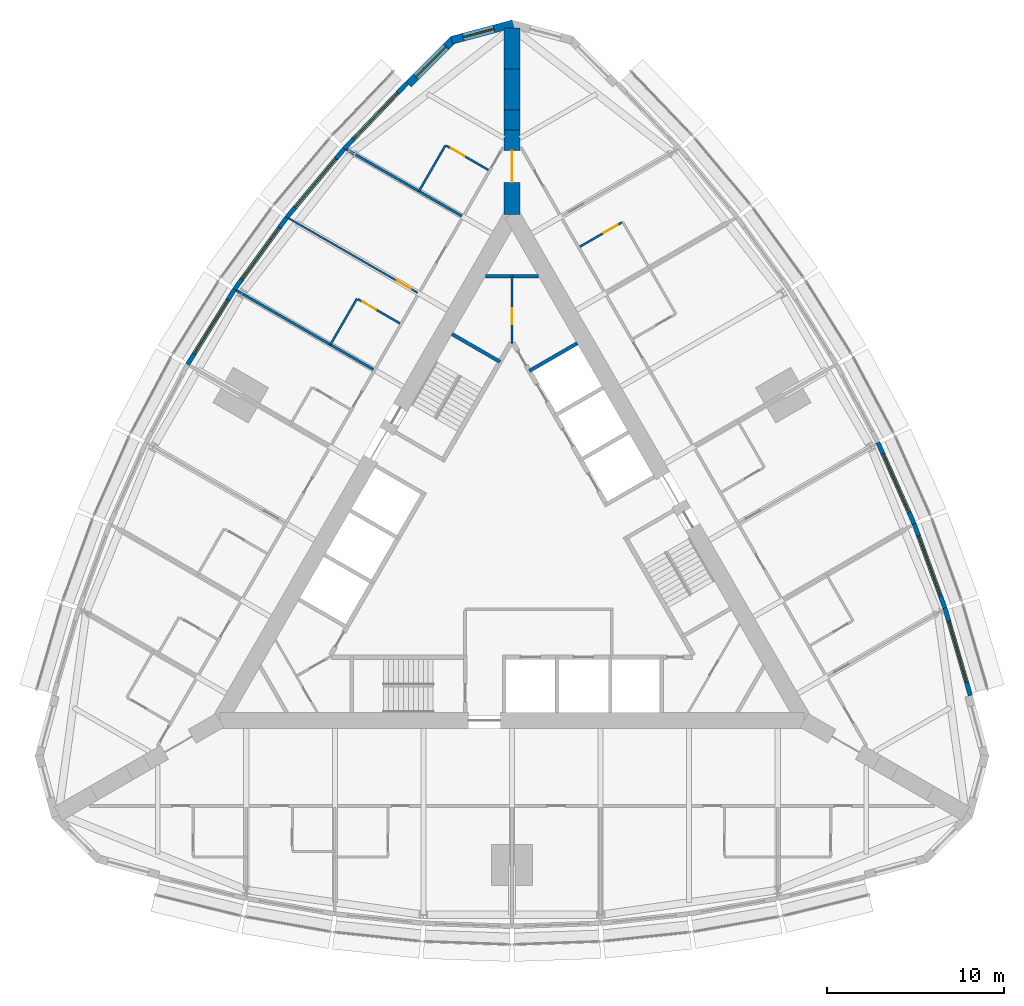
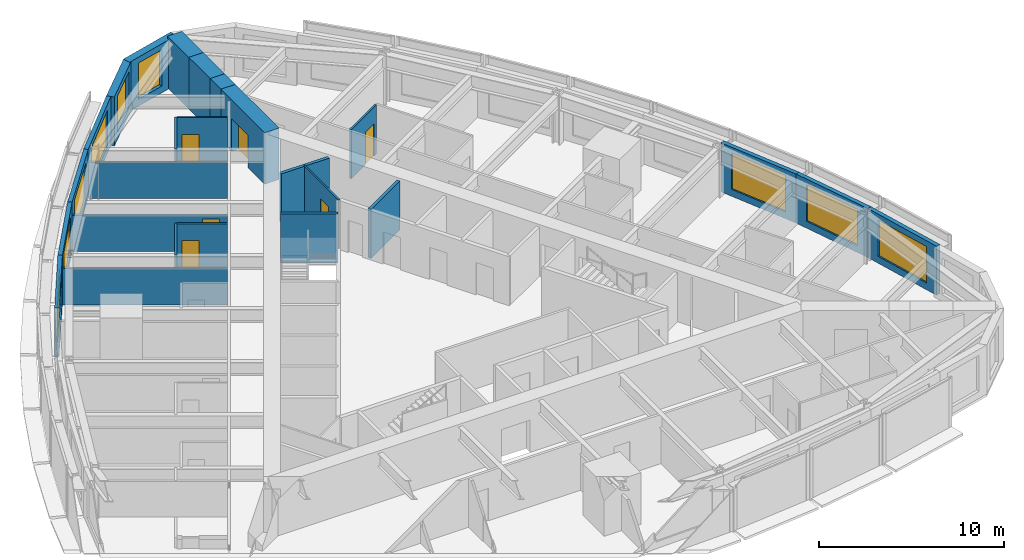
# One storey, part 12 of 14: 25 walls, 9 windows, 6 doors, 15 openings.
"""IFC4 building model written with IfcOpenShell, lengths in metres."""

from ifc_helpers import new_model, si_unit, direction, frame, frame_2d, origin, place, context, subcontext, project, spatial, polyline, rectangle, outline, extrude, material, layer, layer_set, type_object, element, fill, save


model = new_model("IFC4")

# Units and contexts
model_context = context("Model", 3, precision=1e-05, world=origin(), true_north=direction((0.0, 1.0)))
body_context = subcontext(model_context, "Body", "Model", "MODEL_VIEW")
ifc_project = project(units=[si_unit("LENGTHUNIT", "METRE"), si_unit("AREAUNIT", "SQUARE_METRE"), si_unit("VOLUMEUNIT", "CUBIC_METRE"), si_unit("PLANEANGLEUNIT", "RADIAN"), si_unit("MASSUNIT", "GRAM", prefix="KILO")], contexts=[model_context])

# Site, building, storey
site_placement = place(None, origin())
site = spatial("IfcSite", under=ifc_project, at=site_placement, CompositionType="ELEMENT")
building_placement = place(site_placement, origin())
building = spatial("IfcBuilding", under=site, at=building_placement, Name="Trikona Tower", CompositionType="ELEMENT")
storey_placement = place(building_placement, frame((0.0, 0.0, 179.300048828125)))
storey = spatial("IfcBuildingStorey", under=building, at=storey_placement, Name="L48", CompositionType="ELEMENT", Elevation=179.300048828125)

# Wall, opening, door
ifc_material_1 = material(Name="Metal stud and cement board", Category="gypsum")
ifc_layer_1 = layer(ifc_material_1, 0.1201171875)
ifc_layer_set_1 = layer_set([ifc_layer_1], Name="Bathroom wall 120")
wall_type_1 = type_object("IfcWallType", Name="Bathroom wall 120", PredefinedType="PLUMBINGWALL", material=ifc_layer_set_1)
wall_1_placement = place(storey_placement, frame((3.82861328125, 17.221435546875, 0.0), z_axis=(0.0, 0.0, 1.0), x_axis=(0.865997131366, 0.500048966069, 0.0)))
wall_1 = element("IfcWall", 1, at=wall_1_placement, inside=storey, type_object=wall_type_1, Name="Bathroom wall 4809.1", PredefinedType="PLUMBINGWALL", context=body_context, shape_type="SweptSolid", body=[
    extrude(rectangle(XDim=2.739990234375, YDim=0.1201171875, at=frame_2d((1.3701171875, 0.0))), origin(), (0.0, 0.0, 1.0), 3.23486328125),
])
opening_1_placement = place(wall_1_placement, frame((1.550048828125, 0.0, 0.0)))
opening_1 = element("IfcOpeningElement", 2, at=opening_1_placement, cuts=wall_1, Name="Opening D2", PredefinedType="OPENING", context=body_context, shape_type="SweptSolid", body=[
    extrude(rectangle(XDim=0.89990234375, YDim=2.1298828125, at=frame_2d((0.449951171875, 1.06494140625))), frame((0.0, 0.070068359375, 0.0), z_axis=(0.0, -1.0, 0.0), x_axis=(1.0, 0.0, 0.0)), (0.0, 0.0, 1.0), 0.14013671875),
])
ifc_material_2 = material(Name="Steel door frame with solid-core timber leaf", Category="steel")
door_type_1 = type_object("IfcDoorType", Name="Bathroom door 900x2130", OperationType="SLIDING_TO_LEFT", PredefinedType="DOOR", material=ifc_material_2)
door_1_placement = place(opening_1_placement, origin())
door_1 = element("IfcDoor", 3, at=door_1_placement, inside=storey, type_object=door_type_1, Name="Bathroom door 4809.1", OperationType="SLIDING_TO_LEFT", OverallHeight=2.1298828125, OverallWidth=0.89990234375, PredefinedType="DOOR", context=body_context, shape_type="SweptSolid", body=[
    extrude(rectangle(XDim=0.89990234375, YDim=2.1298828125, at=frame_2d((0.449951171875, 1.06494140625))), frame((0.0, 0.02490234375, 0.0), z_axis=(0.0, -1.0, 0.0), x_axis=(1.0, 0.0, 0.0)), (0.0, 0.0, 1.0), 0.050048828125),
])
fill(opening_1, door_1)

# Wall
wall_2_placement = place(storey_placement, frame((-3.75341796875, 22.95166015625, 0.0), z_axis=(0.0, 0.0, 1.0), x_axis=(-0.499990139034, -0.866031096941, 0.0)))
element("IfcWall", 4, at=wall_2_placement, inside=storey, type_object=wall_type_1, Name="Bathroom wall 4810", PredefinedType="PLUMBINGWALL", context=body_context, shape_type="SweptSolid", body=[
    extrude(rectangle(XDim=3.0, YDim=0.1201171875, at=frame_2d((1.5, 0.0))), origin(), (0.0, 0.0, 1.0), 3.23486328125),
])

# Wall, opening, door
wall_3_placement = place(storey_placement, frame((-1.32861328125, 21.551513671875, 0.0), z_axis=(0.0, 0.0, 1.0), x_axis=(-0.865997131366, 0.500048966069, 0.0)))
wall_3 = element("IfcWall", 5, at=wall_3_placement, inside=storey, type_object=wall_type_1, Name="Bathroom wall 4810", PredefinedType="PLUMBINGWALL", context=body_context, shape_type="SweptSolid", body=[
    extrude(rectangle(XDim=2.739990234375, YDim=0.1201171875, at=frame_2d((1.3701171875, 0.0))), origin(), (0.0, 0.0, 1.0), 3.23486328125),
])
opening_2_placement = place(wall_3_placement, frame((1.550048828125, 0.0, 0.0)))
opening_2 = element("IfcOpeningElement", 6, at=opening_2_placement, cuts=wall_3, Name="Opening D2", PredefinedType="OPENING", context=body_context, shape_type="SweptSolid", body=[
    extrude(rectangle(XDim=0.89990234375, YDim=2.1298828125, at=frame_2d((0.449951171875, 1.06494140625))), frame((0.0, 0.070068359375, 0.0), z_axis=(0.0, -1.0, 0.0), x_axis=(1.0, 0.0, 0.0)), (0.0, 0.0, 1.0), 0.14013671875),
])
door_2_placement = place(opening_2_placement, origin())
door_2 = element("IfcDoor", 7, at=door_2_placement, inside=storey, type_object=door_type_1, Name="Bathroom door 4810", OperationType="SLIDING_TO_LEFT", OverallHeight=2.1298828125, OverallWidth=0.89990234375, PredefinedType="DOOR", context=body_context, shape_type="SweptSolid", body=[
    extrude(rectangle(XDim=0.89990234375, YDim=2.1298828125, at=frame_2d((0.449951171875, 1.06494140625))), frame((0.0, 0.02490234375, 0.0), z_axis=(0.0, -1.0, 0.0), x_axis=(1.0, 0.0, 0.0)), (0.0, 0.0, 1.0), 0.050048828125),
])
fill(opening_2, door_2)

# Wall
wall_4_placement = place(storey_placement, frame((-8.75341796875, 14.291259765625, 0.0), z_axis=(0.0, 0.0, 1.0), x_axis=(-0.50002537861, -0.866010750942, 0.0)))
element("IfcWall", 8, at=wall_4_placement, inside=storey, type_object=wall_type_1, Name="Bathroom wall 4811.1", PredefinedType="PLUMBINGWALL", context=body_context, shape_type="SweptSolid", body=[
    extrude(rectangle(XDim=2.999755859375, YDim=0.1201171875, at=frame_2d((1.5, 0.0))), origin(), (0.0, 0.0, 1.0), 3.23486328125),
])

# Wall, opening, door
wall_5_placement = place(storey_placement, frame((-6.32861328125, 12.891357421875, 0.0), z_axis=(0.0, 0.0, 1.0), x_axis=(-0.866035715982, 0.499982138324, 0.0)))
wall_5 = element("IfcWall", 9, at=wall_5_placement, inside=storey, type_object=wall_type_1, Name="Bathroom wall 4811.1", PredefinedType="PLUMBINGWALL", context=body_context, shape_type="SweptSolid", body=[
    extrude(rectangle(XDim=2.73974609375, YDim=0.1201171875, at=frame_2d((1.369873046875, 0.0))), origin(), (0.0, 0.0, 1.0), 3.23486328125),
])
opening_3_placement = place(wall_5_placement, frame((1.550048828125, 0.0, 0.0)))
opening_3 = element("IfcOpeningElement", 10, at=opening_3_placement, cuts=wall_5, Name="Opening D2", PredefinedType="OPENING", context=body_context, shape_type="SweptSolid", body=[
    extrude(rectangle(XDim=0.89990234375, YDim=2.1298828125, at=frame_2d((0.449951171875, 1.06494140625))), frame((0.0, 0.070068359375, 0.0), z_axis=(0.0, -1.0, 0.0), x_axis=(1.0, 0.0, 0.0)), (0.0, 0.0, 1.0), 0.14013671875),
])
door_3_placement = place(opening_3_placement, origin())
door_3 = element("IfcDoor", 11, at=door_3_placement, inside=storey, type_object=door_type_1, Name="Bathroom door 4811.1", OperationType="SLIDING_TO_LEFT", OverallHeight=2.1298828125, OverallWidth=0.89990234375, PredefinedType="DOOR", context=body_context, shape_type="SweptSolid", body=[
    extrude(rectangle(XDim=0.89990234375, YDim=2.1298828125, at=frame_2d((0.449951171875, 1.06494140625))), frame((0.0, 0.02490234375, 0.0), z_axis=(0.0, -1.0, 0.0), x_axis=(1.0, 0.0, 0.0)), (0.0, 0.0, 1.0), 0.050048828125),
])
fill(opening_3, door_3)

# Wall, opening, window
ifc_material_3 = material(Name="Brick-faced precast concrete", Category="masonry")
ifc_layer_2 = layer(ifc_material_3, 0.449951171875)
ifc_layer_set_2 = layer_set([ifc_layer_2], Name="Brick-faced corner wall 450")
wall_type_2 = type_object("IfcWallType", Name="Brick-faced corner wall 450", PredefinedType="SOLIDWALL", material=ifc_layer_set_2)
wall_6_placement = place(storey_placement, frame((0.05810546875, 29.804931640625, 0.0), z_axis=(0.0, 0.0, 1.0), x_axis=(-0.965924653531, -0.258823421857, 0.0)))
wall_6 = element("IfcWall", 12, at=wall_6_placement, inside=storey, type_object=wall_type_2, Name="External wall L48-22", PredefinedType="SOLIDWALL", context=body_context, shape_type="SweptSolid", body=[
    extrude(outline(polyline([(3.58642578125, 0.22509765625), (0.58642578125, 0.22509765625), (0.551025390625, 0.09326171875), (0.0595703125, 0.22509765625), (0.0, 0.22509765625), (0.0, -0.22509765625), (3.58642578125, -0.22509765625), (3.58642578125, 0.22509765625)])), origin(), (0.0, 0.0, 1.0), 3.23486328125),
])
opening_4_placement = place(wall_6_placement, frame((1.111328125, 0.0, 0.449951171875)))
opening_4 = element("IfcOpeningElement", 13, at=opening_4_placement, cuts=wall_6, Name="Opening W1824", PredefinedType="OPENING", context=body_context, shape_type="SweptSolid", body=[
    extrude(rectangle(XDim=1.800048828125, YDim=2.39990234375, at=frame_2d((0.89990234375, 1.199951171875))), frame((0.0, 0.23486328125, 0.0), z_axis=(0.0, -1.0, 0.0), x_axis=(1.0, 0.0, 0.0)), (0.0, 0.0, 1.0), 0.469970703125),
])
ifc_material_4 = material(Name="Aluminium-framed double glazing", Category="aluminium")
window_type_1 = type_object("IfcWindowType", Name="Window 1800x2400", PartitioningType="SINGLE_PANEL", PredefinedType="WINDOW", material=ifc_material_4)
window_1_placement = place(opening_4_placement, origin())
window_1 = element("IfcWindow", 14, at=window_1_placement, inside=storey, type_object=window_type_1, Name="Window 4810", OverallHeight=2.39990234375, OverallWidth=1.800048828125, PartitioningType="SINGLE_PANEL", PredefinedType="WINDOW", context=body_context, shape_type="SweptSolid", body=[
    extrude(rectangle(XDim=1.800048828125, YDim=2.39990234375, at=frame_2d((0.89990234375, 1.199951171875))), frame((0.0, 0.030029296875, 0.0), z_axis=(0.0, -1.0, 0.0), x_axis=(1.0, 0.0, 0.0)), (0.0, 0.0, 1.0), 0.06005859375),
])
fill(opening_4, window_1)

wall_7_placement = place(storey_placement, frame((-3.304931640625, 28.934814453125, 0.0), z_axis=(0.0, 0.0, 1.0), x_axis=(-0.707106781187, -0.707106781187, 0.0)))
wall_7 = element("IfcWall", 15, at=wall_7_placement, inside=storey, type_object=wall_type_2, Name="External wall L48-23", PredefinedType="SOLIDWALL", context=body_context, shape_type="SweptSolid", body=[
    extrude(rectangle(XDim=3.586181640625, YDim=0.449951171875, at=frame_2d((1.79296875, 0.0))), origin(), (0.0, 0.0, 1.0), 3.23486328125),
])
opening_5_placement = place(wall_7_placement, frame((0.59326171875, 0.0, 0.449951171875)))
opening_5 = element("IfcOpeningElement", 16, at=opening_5_placement, cuts=wall_7, Name="Opening W2424", PredefinedType="OPENING", context=body_context, shape_type="SweptSolid", body=[
    extrude(rectangle(XDim=2.39990234375, YDim=2.39990234375, at=frame_2d((1.199951171875, 1.199951171875))), frame((0.0, 0.23486328125, 0.0), z_axis=(0.0, -1.0, 0.0), x_axis=(1.0, 0.0, 0.0)), (0.0, 0.0, 1.0), 0.469970703125),
])
ifc_material_5 = material(Name="Aluminium-framed double glazing", Category="aluminium")
window_type_2 = type_object("IfcWindowType", Name="Window 2400x2400", PartitioningType="SINGLE_PANEL", PredefinedType="WINDOW", material=ifc_material_5)
window_2_placement = place(opening_5_placement, origin())
window_2 = element("IfcWindow", 17, at=window_2_placement, inside=storey, type_object=window_type_2, Name="Window 4810", OverallHeight=2.39990234375, OverallWidth=2.39990234375, PartitioningType="SINGLE_PANEL", PredefinedType="WINDOW", context=body_context, shape_type="SweptSolid", body=[
    extrude(rectangle(XDim=2.39990234375, YDim=2.39990234375, at=frame_2d((1.199951171875, 1.199951171875))), frame((0.0, 0.030029296875, 0.0), z_axis=(0.0, -1.0, 0.0), x_axis=(1.0, 0.0, 0.0)), (0.0, 0.0, 1.0), 0.06005859375),
])
fill(opening_5, window_2)

# Wall, opening, door
ifc_material_6 = material(Name="Concrete f'c 10000 psi", Category="concrete")
ifc_layer_3 = layer(ifc_material_6, 0.89990234375)
ifc_layer_set_3 = layer_set([ifc_layer_3], Name="Buttress wall 900")
wall_type_3 = type_object("IfcWallType", Name="Buttress wall 900", PredefinedType="SHEAR", material=ifc_layer_set_3)
wall_8_placement = place(storey_placement, frame((0.0, 19.052490234375, 0.0), z_axis=(0.0, 0.0, 1.0), x_axis=(0.0, 1.0, 0.0)))
wall_8 = element("IfcWall", 18, at=wall_8_placement, inside=storey, type_object=wall_type_3, Name="Buttress wall 2", PredefinedType="SHEAR", context=body_context, shape_type="SweptSolid", body=[
    extrude(rectangle(XDim=4.74609375, YDim=0.89990234375, at=frame_2d((2.373046875, 0.0))), origin(), (0.0, 0.0, 1.0), 3.39990234375),
])
opening_6_placement = place(wall_8_placement, frame((1.800048828125, 0.0, 0.0)))
opening_6 = element("IfcOpeningElement", 19, at=opening_6_placement, cuts=wall_8, Name="Opening D10", PredefinedType="OPENING", context=body_context, shape_type="SweptSolid", body=[
    extrude(rectangle(XDim=1.800048828125, YDim=2.1298828125, at=frame_2d((0.89990234375, 1.06494140625))), frame((0.0, 0.4599609375, 0.0), z_axis=(0.0, -1.0, 0.0), x_axis=(1.0, 0.0, 0.0)), (0.0, 0.0, 1.0), 0.919921875),
])
ifc_material_7 = material(Name="Hollow metal door and frame", Category="steel")
door_type_2 = type_object("IfcDoorType", Name="Cross-corridor door pair 1800x2130", OperationType="DOUBLE_DOOR_DOUBLE_SWING", PredefinedType="DOOR", material=ifc_material_7)
door_4_placement = place(opening_6_placement, origin())
door_4 = element("IfcDoor", 20, at=door_4_placement, inside=storey, type_object=door_type_2, Name="Cross-corridor door 2", OperationType="DOUBLE_DOOR_DOUBLE_SWING", OverallHeight=2.1298828125, OverallWidth=1.800048828125, PredefinedType="DOOR", context=body_context, shape_type="SweptSolid", body=[
    extrude(rectangle(XDim=1.800048828125, YDim=2.1298828125, at=frame_2d((0.89990234375, 1.06494140625))), frame((0.0, 0.02490234375, 0.0), z_axis=(0.0, -1.0, 0.0), x_axis=(1.0, 0.0, 0.0)), (0.0, 0.0, 1.0), 0.050048828125),
])
fill(opening_6, door_4)

# Walls
wall_9_placement = place(storey_placement, frame((0.0, 23.798583984375, 0.0), z_axis=(0.0, 0.0, 1.0), x_axis=(0.0, 1.0, 0.0)))
element("IfcWall", 21, at=wall_9_placement, inside=storey, type_object=wall_type_3, Name="Buttress wall 2 part 2", PredefinedType="SHEAR", context=body_context, shape_type="SweptSolid", body=[
    extrude(rectangle(XDim=1.15478515625, YDim=0.89990234375, at=frame_2d((0.577392578125, 0.0))), origin(), (0.0, 0.0, 1.0), 3.39990234375),
])
wall_10_placement = place(storey_placement, frame((0.0, 24.953369140625, 0.0), z_axis=(0.0, 0.0, 1.0), x_axis=(0.0, 1.0, 0.0)))
element("IfcWall", 22, at=wall_10_placement, inside=storey, type_object=wall_type_3, Name="Buttress wall 2 part 3", PredefinedType="SHEAR", context=body_context, shape_type="SweptSolid", body=[
    extrude(rectangle(XDim=2.309326171875, YDim=0.89990234375, at=frame_2d((1.15478515625, 0.0))), origin(), (0.0, 0.0, 1.0), 3.39990234375),
])
wall_11_placement = place(storey_placement, frame((0.0, 27.2626953125, 0.0), z_axis=(0.0, 0.0, 1.0), x_axis=(0.0, 1.0, 0.0)))
element("IfcWall", 23, at=wall_11_placement, inside=storey, type_object=wall_type_3, Name="Buttress wall 2 part 4", PredefinedType="SHEAR", context=body_context, shape_type="SweptSolid", body=[
    extrude(rectangle(XDim=2.3095703125, YDim=0.89990234375, at=frame_2d((1.15478515625, 0.0))), origin(), (0.0, 0.0, 1.0), 3.39990234375),
])

# Wall, opening, window
ifc_material_8 = material(Name="Insulated precast concrete spandrel panel", Category="concrete")
ifc_layer_4 = layer(ifc_material_8, 0.25)
ifc_layer_set_4 = layer_set([ifc_layer_4], Name="Inner skin wall 250")
wall_type_4 = type_object("IfcWallType", Name="Inner skin wall 250", PredefinedType="STANDARD", material=ifc_layer_set_4)
wall_12_placement = place(storey_placement, frame((25.8798828125, -8.117919921875, 0.0), z_axis=(0.0, 0.0, 1.0), x_axis=(-0.279528287117, 0.960137457191, 0.0)))
wall_12 = element("IfcWall", 24, at=wall_12_placement, inside=storey, type_object=wall_type_4, Name="External wall L48-12", PredefinedType="STANDARD", context=body_context, shape_type="SweptSolid", body=[
    extrude(rectangle(XDim=5.14794921875, YDim=0.25, at=frame_2d((2.573974609375, 0.0))), origin(), (0.0, 0.0, 1.0), 3.23486328125),
])
opening_7_placement = place(wall_12_placement, frame((0.77392578125, 0.0, 0.449951171875)))
opening_7 = element("IfcOpeningElement", 25, at=opening_7_placement, cuts=wall_12, Name="Opening W3624", PredefinedType="OPENING", context=body_context, shape_type="SweptSolid", body=[
    extrude(rectangle(XDim=3.60009765625, YDim=2.39990234375, at=frame_2d((1.800048828125, 1.199951171875))), frame((0.0, 0.135009765625, 0.0), z_axis=(0.0, -1.0, 0.0), x_axis=(1.0, 0.0, 0.0)), (0.0, 0.0, 1.0), 0.27001953125),
])
ifc_material_9 = material(Name="Aluminium-framed double glazing", Category="aluminium")
window_type_3 = type_object("IfcWindowType", Name="Window 3600x2400", PartitioningType="SINGLE_PANEL", PredefinedType="WINDOW", material=ifc_material_9)
window_3_placement = place(opening_7_placement, origin())
window_3 = element("IfcWindow", 26, at=window_3_placement, inside=storey, type_object=window_type_3, Name="Window 4806", OverallHeight=2.39990234375, OverallWidth=3.60009765625, PartitioningType="SINGLE_PANEL", PredefinedType="WINDOW", context=body_context, shape_type="SweptSolid", body=[
    extrude(rectangle(XDim=3.60009765625, YDim=2.39990234375, at=frame_2d((1.800048828125, 1.199951171875))), frame((0.0, 0.030029296875, 0.0), z_axis=(0.0, -1.0, 0.0), x_axis=(1.0, 0.0, 0.0)), (0.0, 0.0, 1.0), 0.06005859375),
])
fill(opening_7, window_3)

wall_13_placement = place(storey_placement, frame((24.443603515625, -3.18310546875, 0.0), z_axis=(0.0, 0.0, 1.0), x_axis=(-0.343225593282, 0.939252996863, 0.0)))
wall_13 = element("IfcWall", 27, at=wall_13_placement, inside=storey, type_object=wall_type_4, Name="External wall L48-13", PredefinedType="STANDARD", context=body_context, shape_type="SweptSolid", body=[
    extrude(rectangle(XDim=5.075927734375, YDim=0.25, at=frame_2d((2.5380859375, 0.0))), origin(), (0.0, 0.0, 1.0), 3.23486328125),
])
opening_8_placement = place(wall_13_placement, frame((0.738037109375, 0.0, 0.449951171875)))
opening_8 = element("IfcOpeningElement", 28, at=opening_8_placement, cuts=wall_13, Name="Opening W3624", PredefinedType="OPENING", context=body_context, shape_type="SweptSolid", body=[
    extrude(rectangle(XDim=3.60009765625, YDim=2.39990234375, at=frame_2d((1.800048828125, 1.199951171875))), frame((0.0, 0.135009765625, 0.0), z_axis=(0.0, -1.0, 0.0), x_axis=(1.0, 0.0, 0.0)), (0.0, 0.0, 1.0), 0.27001953125),
])
window_4_placement = place(opening_8_placement, origin())
window_4 = element("IfcWindow", 29, at=window_4_placement, inside=storey, type_object=window_type_3, Name="Window 4806.1", OverallHeight=2.39990234375, OverallWidth=3.60009765625, PartitioningType="SINGLE_PANEL", PredefinedType="WINDOW", context=body_context, shape_type="SweptSolid", body=[
    extrude(rectangle(XDim=3.60009765625, YDim=2.39990234375, at=frame_2d((1.800048828125, 1.199951171875))), frame((0.0, 0.030029296875, 0.0), z_axis=(0.0, -1.0, 0.0), x_axis=(1.0, 0.0, 0.0)), (0.0, 0.0, 1.0), 0.06005859375),
])
fill(opening_8, window_4)

wall_14_placement = place(storey_placement, frame((22.70458984375, 1.576416015625, 0.0), z_axis=(0.0, 0.0, 1.0), x_axis=(-0.406832200364, 0.913502906808, 0.0)))
wall_14 = element("IfcWall", 30, at=wall_14_placement, inside=storey, type_object=wall_type_4, Name="External wall L48-14", PredefinedType="STANDARD", context=body_context, shape_type="SweptSolid", body=[
    extrude(rectangle(XDim=5.027587890625, YDim=0.25, at=frame_2d((2.513671875, 0.0))), origin(), (0.0, 0.0, 1.0), 3.23486328125),
])
opening_9_placement = place(wall_14_placement, frame((0.713623046875, 0.0, 0.449951171875)))
opening_9 = element("IfcOpeningElement", 31, at=opening_9_placement, cuts=wall_14, Name="Opening W3624", PredefinedType="OPENING", context=body_context, shape_type="SweptSolid", body=[
    extrude(rectangle(XDim=3.60009765625, YDim=2.39990234375, at=frame_2d((1.800048828125, 1.199951171875))), frame((0.0, 0.135009765625, 0.0), z_axis=(0.0, -1.0, 0.0), x_axis=(1.0, 0.0, 0.0)), (0.0, 0.0, 1.0), 0.27001953125),
])
window_5_placement = place(opening_9_placement, origin())
window_5 = element("IfcWindow", 32, at=window_5_placement, inside=storey, type_object=window_type_3, Name="Window 4807", OverallHeight=2.39990234375, OverallWidth=3.60009765625, PartitioningType="SINGLE_PANEL", PredefinedType="WINDOW", context=body_context, shape_type="SweptSolid", body=[
    extrude(rectangle(XDim=3.60009765625, YDim=2.39990234375, at=frame_2d((1.800048828125, 1.199951171875))), frame((0.0, 0.030029296875, 0.0), z_axis=(0.0, -1.0, 0.0), x_axis=(1.0, 0.0, 0.0)), (0.0, 0.0, 1.0), 0.06005859375),
])
fill(opening_9, window_5)

wall_15_placement = place(storey_placement, frame((-5.90966796875, 26.4716796875, 0.0), z_axis=(0.0, 0.0, 1.0), x_axis=(-0.691719937936, -0.722165858693, 0.0)))
wall_15 = element("IfcWall", 33, at=wall_15_placement, inside=storey, type_object=wall_type_4, Name="External wall L48-24", PredefinedType="STANDARD", context=body_context, shape_type="SweptSolid", body=[
    extrude(rectangle(XDim=5.148193359375, YDim=0.25, at=frame_2d((2.57421875, 0.0))), origin(), (0.0, 0.0, 1.0), 3.23486328125),
])
opening_10_placement = place(wall_15_placement, frame((0.77392578125, 0.0, 0.449951171875)))
opening_10 = element("IfcOpeningElement", 34, at=opening_10_placement, cuts=wall_15, Name="Opening W3624", PredefinedType="OPENING", context=body_context, shape_type="SweptSolid", body=[
    extrude(rectangle(XDim=3.60009765625, YDim=2.39990234375, at=frame_2d((1.800048828125, 1.199951171875))), frame((0.0, 0.135009765625, 0.0), z_axis=(0.0, -1.0, 0.0), x_axis=(1.0, 0.0, 0.0)), (0.0, 0.0, 1.0), 0.27001953125),
])
window_6_placement = place(opening_10_placement, origin())
window_6 = element("IfcWindow", 35, at=window_6_placement, inside=storey, type_object=window_type_3, Name="Window 4810", OverallHeight=2.39990234375, OverallWidth=3.60009765625, PartitioningType="SINGLE_PANEL", PredefinedType="WINDOW", context=body_context, shape_type="SweptSolid", body=[
    extrude(rectangle(XDim=3.60009765625, YDim=2.39990234375, at=frame_2d((1.800048828125, 1.199951171875))), frame((0.0, 0.030029296875, 0.0), z_axis=(0.0, -1.0, 0.0), x_axis=(1.0, 0.0, 0.0)), (0.0, 0.0, 1.0), 0.06005859375),
])
fill(opening_10, window_6)

wall_16_placement = place(storey_placement, frame((-9.465087890625, 22.76025390625, 0.0), z_axis=(0.0, 0.0, 1.0), x_axis=(-0.641810386606, -0.766863369607, 0.0)))
wall_16 = element("IfcWall", 36, at=wall_16_placement, inside=storey, type_object=wall_type_4, Name="External wall L48-25", PredefinedType="STANDARD", context=body_context, shape_type="SweptSolid", body=[
    extrude(rectangle(XDim=5.075927734375, YDim=0.25, at=frame_2d((2.5380859375, 0.0))), origin(), (0.0, 0.0, 1.0), 3.23486328125),
])
opening_11_placement = place(wall_16_placement, frame((0.738037109375, 0.0, 0.449951171875)))
opening_11 = element("IfcOpeningElement", 37, at=opening_11_placement, cuts=wall_16, Name="Opening W3624", PredefinedType="OPENING", context=body_context, shape_type="SweptSolid", body=[
    extrude(rectangle(XDim=3.60009765625, YDim=2.39990234375, at=frame_2d((1.800048828125, 1.199951171875))), frame((0.0, 0.135009765625, 0.0), z_axis=(0.0, -1.0, 0.0), x_axis=(1.0, 0.0, 0.0)), (0.0, 0.0, 1.0), 0.27001953125),
])
window_7_placement = place(opening_11_placement, origin())
window_7 = element("IfcWindow", 38, at=window_7_placement, inside=storey, type_object=window_type_3, Name="Window 4811", OverallHeight=2.39990234375, OverallWidth=3.60009765625, PartitioningType="SINGLE_PANEL", PredefinedType="WINDOW", context=body_context, shape_type="SweptSolid", body=[
    extrude(rectangle(XDim=3.60009765625, YDim=2.39990234375, at=frame_2d((1.800048828125, 1.199951171875))), frame((0.0, 0.030029296875, 0.0), z_axis=(0.0, -1.0, 0.0), x_axis=(1.0, 0.0, 0.0)), (0.0, 0.0, 1.0), 0.06005859375),
])
fill(opening_11, window_7)

wall_17_placement = place(storey_placement, frame((-12.717529296875, 18.87451171875, 0.0), z_axis=(0.0, 0.0, 1.0), x_axis=(-0.587669188412, -0.809101307001, 0.0)))
wall_17 = element("IfcWall", 39, at=wall_17_placement, inside=storey, type_object=wall_type_4, Name="External wall L48-26", PredefinedType="STANDARD", context=body_context, shape_type="SweptSolid", body=[
    extrude(rectangle(XDim=5.027587890625, YDim=0.25, at=frame_2d((2.513671875, 0.0))), origin(), (0.0, 0.0, 1.0), 3.23486328125),
])
opening_12_placement = place(wall_17_placement, frame((0.7138671875, 0.0, 0.449951171875)))
opening_12 = element("IfcOpeningElement", 40, at=opening_12_placement, cuts=wall_17, Name="Opening W3624", PredefinedType="OPENING", context=body_context, shape_type="SweptSolid", body=[
    extrude(rectangle(XDim=3.60009765625, YDim=2.39990234375, at=frame_2d((1.800048828125, 1.199951171875))), frame((0.0, 0.135009765625, 0.0), z_axis=(0.0, -1.0, 0.0), x_axis=(1.0, 0.0, 0.0)), (0.0, 0.0, 1.0), 0.27001953125),
])
window_8_placement = place(opening_12_placement, origin())
window_8 = element("IfcWindow", 41, at=window_8_placement, inside=storey, type_object=window_type_3, Name="Window 4811.1", OverallHeight=2.39990234375, OverallWidth=3.60009765625, PartitioningType="SINGLE_PANEL", PredefinedType="WINDOW", context=body_context, shape_type="SweptSolid", body=[
    extrude(rectangle(XDim=3.60009765625, YDim=2.39990234375, at=frame_2d((1.800048828125, 1.199951171875))), frame((0.0, 0.030029296875, 0.0), z_axis=(0.0, -1.0, 0.0), x_axis=(1.0, 0.0, 0.0)), (0.0, 0.0, 1.0), 0.06005859375),
])
fill(opening_12, window_8)

wall_18_placement = place(storey_placement, frame((-15.667236328125, 14.81396484375, 0.0), z_axis=(0.0, 0.0, 1.0), x_axis=(-0.529990167382, -0.84800378683, 0.0)))
wall_18 = element("IfcWall", 42, at=wall_18_placement, inside=storey, type_object=wall_type_4, Name="External wall L48-27", PredefinedType="STANDARD", context=body_context, shape_type="SweptSolid", body=[
    extrude(rectangle(XDim=5.003173828125, YDim=0.25, at=frame_2d((2.50146484375, 0.0))), origin(), (0.0, 0.0, 1.0), 3.23486328125),
])
opening_13_placement = place(wall_18_placement, frame((0.701416015625, 0.0, 0.449951171875)))
opening_13 = element("IfcOpeningElement", 43, at=opening_13_placement, cuts=wall_18, Name="Opening W3624", PredefinedType="OPENING", context=body_context, shape_type="SweptSolid", body=[
    extrude(rectangle(XDim=3.60009765625, YDim=2.39990234375, at=frame_2d((1.800048828125, 1.199951171875))), frame((0.0, 0.135009765625, 0.0), z_axis=(0.0, -1.0, 0.0), x_axis=(1.0, 0.0, 0.0)), (0.0, 0.0, 1.0), 0.27001953125),
])
window_9_placement = place(opening_13_placement, origin())
window_9 = element("IfcWindow", 44, at=window_9_placement, inside=storey, type_object=window_type_3, Name="Window 4812", OverallHeight=2.39990234375, OverallWidth=3.60009765625, PartitioningType="SINGLE_PANEL", PredefinedType="WINDOW", context=body_context, shape_type="SweptSolid", body=[
    extrude(rectangle(XDim=3.60009765625, YDim=2.39990234375, at=frame_2d((1.800048828125, 1.199951171875))), frame((0.0, 0.030029296875, 0.0), z_axis=(0.0, -1.0, 0.0), x_axis=(1.0, 0.0, 0.0)), (0.0, 0.0, 1.0), 0.06005859375),
])
fill(opening_13, window_9)

# Walls
ifc_material_10 = material(Name="Metal stud and gypsum board, 1-hour acoustic", Category="gypsum")
ifc_layer_5 = layer(ifc_material_10, 0.14990234375)
ifc_layer_set_5 = layer_set([ifc_layer_5], Name="Party wall 150")
wall_type_5 = type_object("IfcWallType", Name="Party wall 150", PredefinedType="PARTITIONING", material=ifc_layer_set_5)
wall_19_placement = place(storey_placement, frame((-2.82861328125, 18.95361328125, 0.0), z_axis=(0.0, 0.0, 1.0), x_axis=(-0.866015739374, 0.500016738876, 0.0)))
element("IfcWall", 45, at=wall_19_placement, inside=storey, type_object=wall_type_5, Name="Partition L48 F3 u-15", PredefinedType="PARTITIONING", context=body_context, shape_type="SweptSolid", body=[
    extrude(rectangle(XDim=7.516357421875, YDim=0.14990234375, at=frame_2d((3.75830078125, 0.0))), origin(), (0.0, 0.0, 1.0), 2.38916015625),
])
wall_20_placement = place(storey_placement, frame((-7.82861328125, 10.293212890625, 0.0), z_axis=(0.0, 0.0, 1.0), x_axis=(-0.866027015393, 0.499997208602, 0.0)))
element("IfcWall", 46, at=wall_20_placement, inside=storey, type_object=wall_type_5, Name="Partition L48 F3 u-5", PredefinedType="PARTITIONING", context=body_context, shape_type="SweptSolid", body=[
    extrude(rectangle(XDim=8.92236328125, YDim=0.14990234375, at=frame_2d((4.461181640625, 0.0))), origin(), (0.0, 0.0, 1.0), 2.38916015625),
])
ifc_material_11 = material(Name="Concrete f'c 8000 psi", Category="concrete")
ifc_layer_6 = layer(ifc_material_11, 0.199951171875)
ifc_layer_set_6 = layer_set([ifc_layer_6], Name="Shaft wall 200")
wall_type_6 = type_object("IfcWallType", Name="Shaft wall 200", PredefinedType="SOLIDWALL", material=ifc_layer_set_6)
wall_21_placement = place(storey_placement, frame((0.97900390625, 10.20703125, 0.0), z_axis=(0.0, 0.0, 1.0), x_axis=(0.866022959057, 0.500004234368, 0.0)))
element("IfcWall", 47, at=wall_21_placement, inside=storey, type_object=wall_type_6, Name="Shaft wall B6", PredefinedType="SOLIDWALL", context=body_context, shape_type="SweptSolid", body=[
    extrude(rectangle(XDim=3.125, YDim=0.199951171875, at=frame_2d((1.5625, 0.0))), origin(), (0.0, 0.0, 1.0), 3.23486328125),
])
wall_22_placement = place(storey_placement, frame((-1.501220703125, 15.552490234375, 0.0), z_axis=(0.0, 0.0, 1.0), x_axis=(1.0, 0.0, 0.0)))
element("IfcWall", 48, at=wall_22_placement, inside=storey, type_object=wall_type_6, Name="Riser wall L48-RS2", PredefinedType="SOLIDWALL", context=body_context, shape_type="SweptSolid", body=[
    extrude(rectangle(XDim=3.00244140625, YDim=0.199951171875, at=frame_2d((1.501220703125, 0.0))), origin(), (0.0, 0.0, 1.0), 3.23486328125),
])
ifc_material_12 = material(Name="Concrete f'c 8000 psi", Category="concrete")
ifc_layer_7 = layer(ifc_material_12, 0.199951171875)
ifc_layer_set_7 = layer_set([ifc_layer_7], Name="Shaft wall 200 load-bearing")
wall_type_7 = type_object("IfcWallType", Name="Shaft wall 200 load-bearing", PredefinedType="SOLIDWALL", material=ifc_layer_set_7)
wall_23_placement = place(storey_placement, frame((-0.678955078125, 10.7265625, 0.0), z_axis=(0.0, 0.0, 1.0), x_axis=(-0.866022959057, 0.500004234368, 0.0)))
element("IfcWall", 49, at=wall_23_placement, inside=storey, type_object=wall_type_7, Name="Shaft wall C1", PredefinedType="SOLIDWALL", context=body_context, shape_type="SweptSolid", body=[
    extrude(rectangle(XDim=3.125, YDim=0.199951171875, at=frame_2d((1.5625, 0.0))), origin(), (0.0, 0.0, 1.0), 3.23486328125),
])

# Wall, opening, door
ifc_material_13 = material(Name="Metal stud and gypsum board, acoustic", Category="gypsum")
ifc_layer_8 = layer(ifc_material_13, 0.10009765625)
ifc_layer_set_8 = layer_set([ifc_layer_8], Name="Suite partition 100")
wall_type_8 = type_object("IfcWallType", Name="Suite partition 100", PredefinedType="PARTITIONING", material=ifc_layer_set_8)
wall_24_placement = place(storey_placement, frame((-5.32861328125, 14.623291015625, 0.0), z_axis=(0.0, 0.0, 1.0), x_axis=(-0.866011723728, 0.500023693804, 0.0)))
wall_24 = element("IfcWall", 50, at=wall_24_placement, inside=storey, type_object=wall_type_8, Name="Suite partition L48 F3 u-10", PredefinedType="PARTITIONING", context=body_context, shape_type="SweptSolid", body=[
    extrude(rectangle(XDim=8.39501953125, YDim=0.10009765625, at=frame_2d((4.197509765625, 0.0))), origin(), (0.0, 0.0, 1.0), 2.38916015625),
])
opening_14_placement = place(wall_24_placement, frame((0.449951171875, 0.0, 0.0)))
opening_14 = element("IfcOpeningElement", 51, at=opening_14_placement, cuts=wall_24, Name="Opening D13", PredefinedType="OPENING", context=body_context, shape_type="SweptSolid", body=[
    extrude(rectangle(XDim=0.89990234375, YDim=2.1298828125, at=frame_2d((0.449951171875, 1.06494140625))), frame((0.0, 0.06005859375, 0.0), z_axis=(0.0, -1.0, 0.0), x_axis=(1.0, 0.0, 0.0)), (0.0, 0.0, 1.0), 0.1201171875),
])
ifc_material_14 = material(Name="Steel door frame with solid-core timber leaf", Category="steel")
door_type_3 = type_object("IfcDoorType", Name="Suite door 900x2130", OperationType="SINGLE_SWING_LEFT", PredefinedType="DOOR", material=ifc_material_14)
door_5_placement = place(opening_14_placement, origin())
door_5 = element("IfcDoor", 52, at=door_5_placement, inside=storey, type_object=door_type_3, Name="Suite door 4811", OperationType="SINGLE_SWING_LEFT", OverallHeight=2.1298828125, OverallWidth=0.89990234375, PredefinedType="DOOR", context=body_context, shape_type="SweptSolid", body=[
    extrude(rectangle(XDim=0.89990234375, YDim=2.1298828125, at=frame_2d((0.449951171875, 1.06494140625))), frame((0.0, 0.02490234375, 0.0), z_axis=(0.0, -1.0, 0.0), x_axis=(1.0, 0.0, 0.0)), (0.0, 0.0, 1.0), 0.050048828125),
])
fill(opening_14, door_5)

wall_25_placement = place(storey_placement, frame((0.0, 15.552490234375, 0.0), z_axis=(0.0, 0.0, 1.0), x_axis=(0.0, -1.0, 0.0)))
wall_25 = element("IfcWall", 53, at=wall_25_placement, inside=storey, type_object=wall_type_8, Name="Store partition L48-RS2", PredefinedType="PARTITIONING", context=body_context, shape_type="SweptSolid", body=[
    extrude(rectangle(XDim=3.775146484375, YDim=0.10009765625, at=frame_2d((1.8876953125, 0.0))), origin(), (0.0, 0.0, 1.0), 3.23486328125),
])
opening_15_placement = place(wall_25_placement, frame((1.815185546875, 0.0, 0.0)))
opening_15 = element("IfcOpeningElement", 54, at=opening_15_placement, cuts=wall_25, Name="Opening D15", PredefinedType="OPENING", context=body_context, shape_type="SweptSolid", body=[
    extrude(rectangle(XDim=0.89990234375, YDim=2.1298828125, at=frame_2d((0.449951171875, 1.06494140625))), frame((0.0, 0.06005859375, 0.0), z_axis=(0.0, -1.0, 0.0), x_axis=(1.0, 0.0, 0.0)), (0.0, 0.0, 1.0), 0.1201171875),
])
ifc_material_15 = material(Name="Steel door frame with solid-core timber leaf", Category="steel")
door_type_4 = type_object("IfcDoorType", Name="Store door 900x2130", OperationType="SINGLE_SWING_LEFT", PredefinedType="DOOR", material=ifc_material_15)
door_6_placement = place(opening_15_placement, origin())
door_6 = element("IfcDoor", 55, at=door_6_placement, inside=storey, type_object=door_type_4, Name="Door Uniform store UNF", OperationType="SINGLE_SWING_RIGHT", OverallHeight=2.1298828125, OverallWidth=0.89990234375, PredefinedType="DOOR", context=body_context, shape_type="SweptSolid", body=[
    extrude(rectangle(XDim=0.89990234375, YDim=2.1298828125, at=frame_2d((0.449951171875, 1.06494140625))), frame((0.0, 0.02490234375, 0.0), z_axis=(0.0, -1.0, 0.0), x_axis=(1.0, 0.0, 0.0)), (0.0, 0.0, 1.0), 0.050048828125),
])
fill(opening_15, door_6)

save(model, "model.ifc")
